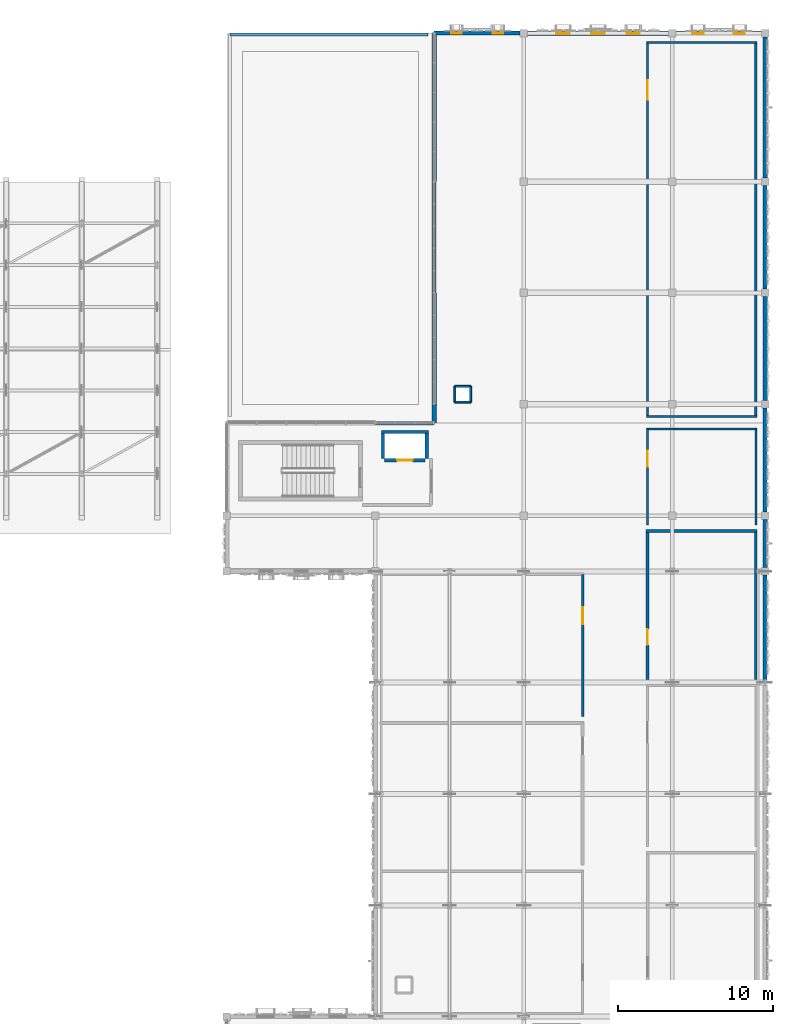
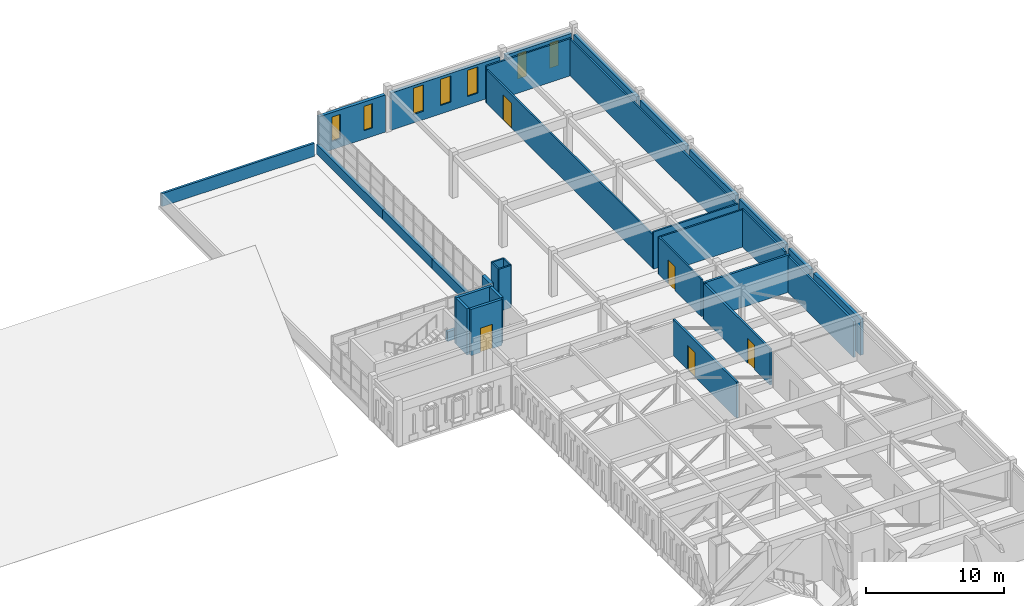
# One storey, part 53 of 79: 34 walls, 7 windows, 5 doors, 12 openings.
"""IFC4 building model written with IfcOpenShell, lengths in metres."""

from ifc_helpers import new_model, si_unit, direction, frame, frame_2d, origin, place, context, subcontext, project, spatial, rectangle, extrude, material, layer, layer_set, type_object, element, fill, save


model = new_model("IFC4")

# Units and contexts
model_context = context("Model", 3, precision=1e-05, world=origin(), true_north=direction((0.0, 1.0)))
body_context = subcontext(model_context, "Body", "Model", "MODEL_VIEW")
ifc_project = project(units=[si_unit("LENGTHUNIT", "METRE"), si_unit("AREAUNIT", "SQUARE_METRE"), si_unit("VOLUMEUNIT", "CUBIC_METRE"), si_unit("PLANEANGLEUNIT", "RADIAN"), si_unit("MASSUNIT", "GRAM", prefix="KILO")], contexts=[model_context])

# Site, building, storey
site_placement = place(None, origin())
site = spatial("IfcSite", under=ifc_project, at=site_placement, CompositionType="ELEMENT")
building_placement = place(site_placement, origin())
building = spatial("IfcBuilding", under=site, at=building_placement, Name="Nzembalo Square Collegiate School", CompositionType="ELEMENT")
storey_placement = place(building_placement, frame((0.0, 0.0, 9.52001953125)))
storey = spatial("IfcBuildingStorey", under=building, at=storey_placement, Name="L02", CompositionType="ELEMENT", Elevation=9.52001953125)

# Walls
ifc_material_1 = material(Name="Concrete C35/45", Category="concrete")
ifc_layer_1 = layer(ifc_material_1, 0.219970703125, Name="Concrete C35/45")
ifc_layer_set_1 = layer_set([ifc_layer_1], Name="Concrete C35/45")
wall_type_1 = type_object("IfcWallType", Name="SW08", PredefinedType="SHEAR", material=ifc_layer_set_1)
for number, where, z_axis, x_axis, name in (
    (1, (140.889892578125, 86.5, 0.0), (0.0, 0.0, 1.0), (0.0, 1.0, 0.0), "Lift LF3 shaft wall W L02"),
    (2, (143.7099609375, 86.5, 0.0), (0.0, 0.0, 1.0), (0.0, 1.0, 0.0), "Lift LF3 shaft wall E L02"),
):
    element("IfcWall", number, at=place(storey_placement, frame(where, z_axis=z_axis, x_axis=x_axis)), inside=storey, type_object=wall_type_1, Name=name, PredefinedType="SHEAR", context=body_context, shape_type="SweptSolid", body=[
        extrude(rectangle(XDim=1.60009765625, YDim=0.219970703125, at=frame_2d((0.800048828125, 0.0))), origin(), (0.0, 0.0, 1.0), 4.080078125),
    ])
wall_1_placement = place(storey_placement, frame((140.780029296875, 88.2099609375, 0.0), z_axis=(0.0, 0.0, 1.0), x_axis=(1.0, 0.0, 0.0)))
element("IfcWall", 3, at=wall_1_placement, inside=storey, type_object=wall_type_1, Name="Lift LF3 shaft wall N L02", PredefinedType="SHEAR", context=body_context, shape_type="SweptSolid", body=[
    extrude(rectangle(XDim=3.0400390625, YDim=0.219970703125, at=frame_2d((1.52001953125, 0.0))), origin(), (0.0, 0.0, 1.0), 4.080078125),
])

# Wall, opening, door
wall_2_placement = place(storey_placement, frame((141.0, 86.389892578125, 0.0), z_axis=(0.0, 0.0, 1.0), x_axis=(1.0, 0.0, 0.0)))
wall_2 = element("IfcWall", 4, at=wall_2_placement, inside=storey, type_object=wall_type_1, Name="Lift LF3 landing front wall L02", PredefinedType="SHEAR", context=body_context, shape_type="SweptSolid", body=[
    extrude(rectangle(XDim=2.60009765625, YDim=0.219970703125, at=frame_2d((1.300048828125, 0.0))), origin(), (0.0, 0.0, 1.0), 4.080078125),
])
opening_1_placement = place(wall_2_placement, frame((0.800048828125, 0.0, 0.0)))
opening_1 = element("IfcOpeningElement", 5, at=opening_1_placement, cuts=wall_2, Name="Opening LD-LF3-L02", PredefinedType="OPENING", context=body_context, shape_type="SweptSolid", body=[
    extrude(rectangle(XDim=1.0, YDim=2.14990234375, at=frame_2d((0.5, 1.074951171875))), frame((0.0, 0.1201171875, 0.0), z_axis=(0.0, -1.0, 0.0), x_axis=(1.0, 0.0, 0.0)), (0.0, 0.0, 1.0), 0.239990234375),
])
ifc_material_2 = material(Name="Stainless-steel sliding landing door", Category="steel")
door_type_1 = type_object("IfcDoorType", Name="LD02", OperationType="DOUBLE_DOOR_SLIDING", PredefinedType="DOOR", material=ifc_material_2)
door_1_placement = place(opening_1_placement, origin())
door_1 = element("IfcDoor", 6, at=door_1_placement, inside=storey, type_object=door_type_1, Name="Sliding lift landing door LD-LF3-L02", OperationType="DOUBLE_DOOR_SLIDING", OverallHeight=2.14990234375, OverallWidth=1.0, PredefinedType="DOOR", context=body_context, shape_type="SweptSolid", body=[
    extrude(rectangle(XDim=1.0, YDim=2.14990234375, at=frame_2d((0.5, 1.074951171875))), frame((0.0, 0.02490234375, 0.0), z_axis=(0.0, -1.0, 0.0), x_axis=(1.0, 0.0, 0.0)), (0.0, 0.0, 1.0), 0.050048828125),
])
fill(opening_1, door_1)

# Walls
ifc_material_3 = material(Name="Concrete C30/37", Category="concrete")
ifc_layer_2 = layer(ifc_material_3, 0.284912109375, Name="Concrete C30/37")
ifc_layer_set_2 = layer_set([ifc_layer_2], Name="Concrete C30/37")
wall_type_2 = type_object("IfcWallType", Name="W05", PredefinedType="SOLIDWALL", material=ifc_layer_set_2)
wall_3_placement = place(storey_placement, frame((144.199951171875, 88.800048828125, 0.0), z_axis=(0.0, 0.0, 1.0), x_axis=(0.0, 1.0, 0.0)))
element("IfcWall", 7, at=wall_3_placement, inside=storey, type_object=wall_type_2, Name="Exterior wall W05 L02", PredefinedType="SOLIDWALL", context=body_context, shape_type="SweptSolid", body=[
    extrude(rectangle(XDim=1.199951171875, YDim=0.284912109375, at=frame_2d((0.60009765625, 0.0))), origin(), (0.0, 0.0, 1.0), 3.77392578125),
])
wall_4_placement = place(storey_placement, frame((144.199951171875, 90.0, 0.0), z_axis=(0.0, 0.0, 1.0), x_axis=(0.0, 1.0, 0.0)))
element("IfcWall", 8, at=wall_4_placement, inside=storey, type_object=wall_type_2, Name="Spandrel wall W05 L02", PredefinedType="SOLIDWALL", context=body_context, shape_type="SweptSolid", body=[
    extrude(rectangle(XDim=7.199951171875, YDim=0.284912109375, at=frame_2d((3.60009765625, 0.0))), origin(), (0.0, 0.0, 1.0), 0.85009765625),
])
wall_5_placement = place(storey_placement, frame((144.199951171875, 104.39990234375, 0.0), z_axis=(0.0, 0.0, 1.0), x_axis=(0.0, 1.0, 0.0)))
element("IfcWall", 9, at=wall_5_placement, inside=storey, type_object=wall_type_2, Name="Spandrel wall W05 L02", PredefinedType="SOLIDWALL", context=body_context, shape_type="SweptSolid", body=[
    extrude(rectangle(XDim=9.60009765625, YDim=0.284912109375, at=frame_2d((4.800048828125, 0.0))), origin(), (0.0, 0.0, 1.0), 0.85009765625),
])

# Wall, openings, windows
wall_6_placement = place(storey_placement, frame((150.241943359375, 114.0, 0.0), z_axis=(0.0, 0.0, 1.0), x_axis=(1.0, 0.0, 0.0)))
wall_6 = element("IfcWall", 10, at=wall_6_placement, inside=storey, type_object=wall_type_2, Name="Exterior wall W05 L02", PredefinedType="SOLIDWALL", context=body_context, shape_type="SweptSolid", body=[
    extrude(rectangle(XDim=9.115966796875, YDim=0.284912109375, at=frame_2d((4.55810546875, 0.0))), origin(), (0.0, 0.0, 1.0), 3.299072265625),
])
opening_2_placement = place(wall_6_placement, frame((1.85400390625, 0.0, 0.75)))
opening_2 = element("IfcOpeningElement", 11, at=opening_2_placement, cuts=wall_6, Name="Opening WN-L02-430", PredefinedType="OPENING", context=body_context, shape_type="SweptSolid", body=[
    extrude(rectangle(XDim=0.860107421875, YDim=2.320068359375, at=frame_2d((0.43017578125, 1.16015625))), frame((0.0, 0.15234375, 0.0), z_axis=(0.0, -1.0, 0.0), x_axis=(1.0, 0.0, 0.0)), (0.0, 0.0, 1.0), 0.304931640625),
])
opening_3_placement = place(wall_6_placement, frame((4.1279296875, 0.0, 0.75)))
opening_3 = element("IfcOpeningElement", 12, at=opening_3_placement, cuts=wall_6, Name="Opening WN-L02-431", PredefinedType="OPENING", context=body_context, shape_type="SweptSolid", body=[
    extrude(rectangle(XDim=0.860107421875, YDim=2.320068359375, at=frame_2d((0.43017578125, 1.16015625))), frame((0.0, 0.15234375, 0.0), z_axis=(0.0, -1.0, 0.0), x_axis=(1.0, 0.0, 0.0)), (0.0, 0.0, 1.0), 0.304931640625),
])
opening_4_placement = place(wall_6_placement, frame((6.402099609375, 0.0, 0.75)))
opening_4 = element("IfcOpeningElement", 13, at=opening_4_placement, cuts=wall_6, Name="Opening WN-L02-432", PredefinedType="OPENING", context=body_context, shape_type="SweptSolid", body=[
    extrude(rectangle(XDim=0.860107421875, YDim=2.320068359375, at=frame_2d((0.43017578125, 1.16015625))), frame((0.0, 0.15234375, 0.0), z_axis=(0.0, -1.0, 0.0), x_axis=(1.0, 0.0, 0.0)), (0.0, 0.0, 1.0), 0.304931640625),
])
ifc_material_4 = material(Name="Powder-coated aluminium and low-E double glazing", Category="aluminium")
window_type_1 = type_object("IfcWindowType", Name="WN61", PartitioningType="SINGLE_PANEL", PredefinedType="WINDOW", material=ifc_material_4)
window_1_placement = place(opening_2_placement, origin())
window_1 = element("IfcWindow", 14, at=window_1_placement, inside=storey, type_object=window_type_1, Name="Lancet window WN-L02-430", OverallHeight=2.320068359375, OverallWidth=0.860107421875, PartitioningType="SINGLE_PANEL", PredefinedType="WINDOW", context=body_context, shape_type="SweptSolid", body=[
    extrude(rectangle(XDim=0.860107421875, YDim=2.320068359375, at=frame_2d((0.43017578125, 1.16015625))), frame((0.0, 0.030029296875, 0.0), z_axis=(0.0, -1.0, 0.0), x_axis=(1.0, 0.0, 0.0)), (0.0, 0.0, 1.0), 0.06005859375),
])
fill(opening_2, window_1)
window_2_placement = place(opening_3_placement, origin())
window_2 = element("IfcWindow", 15, at=window_2_placement, inside=storey, type_object=window_type_1, Name="Lancet window WN-L02-431", OverallHeight=2.320068359375, OverallWidth=0.860107421875, PartitioningType="SINGLE_PANEL", PredefinedType="WINDOW", context=body_context, shape_type="SweptSolid", body=[
    extrude(rectangle(XDim=0.860107421875, YDim=2.320068359375, at=frame_2d((0.43017578125, 1.16015625))), frame((0.0, 0.030029296875, 0.0), z_axis=(0.0, -1.0, 0.0), x_axis=(1.0, 0.0, 0.0)), (0.0, 0.0, 1.0), 0.06005859375),
])
fill(opening_3, window_2)
window_3_placement = place(opening_4_placement, origin())
window_3 = element("IfcWindow", 16, at=window_3_placement, inside=storey, type_object=window_type_1, Name="Lancet window WN-L02-432", OverallHeight=2.320068359375, OverallWidth=0.860107421875, PartitioningType="SINGLE_PANEL", PredefinedType="WINDOW", context=body_context, shape_type="SweptSolid", body=[
    extrude(rectangle(XDim=0.860107421875, YDim=2.320068359375, at=frame_2d((0.43017578125, 1.16015625))), frame((0.0, 0.030029296875, 0.0), z_axis=(0.0, -1.0, 0.0), x_axis=(1.0, 0.0, 0.0)), (0.0, 0.0, 1.0), 0.06005859375),
])
fill(opening_4, window_3)

# Walls
wall_7_placement = place(storey_placement, frame((165.60009765625, 79.44189453125, 0.0), z_axis=(0.0, 0.0, 1.0), x_axis=(0.0, 1.0, 0.0)))
element("IfcWall", 17, at=wall_7_placement, inside=storey, type_object=wall_type_2, Name="Exterior wall W05 L02", PredefinedType="SOLIDWALL", context=body_context, shape_type="SweptSolid", body=[
    extrude(rectangle(XDim=3.1162109375, YDim=0.284912109375, at=frame_2d((1.55810546875, 0.0))), origin(), (0.0, 0.0, 1.0), 3.194091796875),
])
wall_8_placement = place(storey_placement, frame((165.60009765625, 90.241943359375, 0.0), z_axis=(0.0, 0.0, 1.0), x_axis=(0.0, 1.0, 0.0)))
element("IfcWall", 18, at=wall_8_placement, inside=storey, type_object=wall_type_2, Name="Exterior wall W05 L02", PredefinedType="SOLIDWALL", context=body_context, shape_type="SweptSolid", body=[
    extrude(rectangle(XDim=6.716064453125, YDim=0.284912109375, at=frame_2d((3.35791015625, 0.0))), origin(), (0.0, 0.0, 1.0), 3.218994140625),
])
wall_9_placement = place(storey_placement, frame((165.60009765625, 104.64208984375, 0.0), z_axis=(0.0, 0.0, 1.0), x_axis=(0.0, 1.0, 0.0)))
element("IfcWall", 19, at=wall_9_placement, inside=storey, type_object=wall_type_2, Name="Exterior wall W05 L02", PredefinedType="SOLIDWALL", context=body_context, shape_type="SweptSolid", body=[
    extrude(rectangle(XDim=9.115966796875, YDim=0.284912109375, at=frame_2d((4.55810546875, 0.0))), origin(), (0.0, 0.0, 1.0), 3.218994140625),
])
ifc_material_5 = material(Name="Concrete C30/37", Category="concrete")
ifc_layer_3 = layer(ifc_material_5, 0.264892578125, Name="Concrete C30/37")
ifc_layer_set_3 = layer_set([ifc_layer_3], Name="Concrete C30/37")
wall_type_3 = type_object("IfcWallType", Name="W06", PredefinedType="SOLIDWALL", material=ifc_layer_set_3)
wall_10_placement = place(storey_placement, frame((140.39990234375, 88.800048828125, 0.0), z_axis=(0.0, 0.0, 1.0), x_axis=(1.0, 0.0, 0.0)))
element("IfcWall", 20, at=wall_10_placement, inside=storey, type_object=wall_type_3, Name="Spandrel wall W06 L02", PredefinedType="SOLIDWALL", context=body_context, shape_type="SweptSolid", body=[
    extrude(rectangle(XDim=3.800048828125, YDim=0.264892578125, at=frame_2d((1.89990234375, 0.0))), origin(), (0.0, 0.0, 1.0), 0.85009765625),
])
wall_11_placement = place(storey_placement, frame((144.199951171875, 97.199951171875, 0.0), z_axis=(0.0, 0.0, 1.0), x_axis=(0.0, 1.0, 0.0)))
element("IfcWall", 21, at=wall_11_placement, inside=storey, type_object=wall_type_3, Name="Spandrel wall W06 L02", PredefinedType="SOLIDWALL", context=body_context, shape_type="SweptSolid", body=[
    extrude(rectangle(XDim=7.199951171875, YDim=0.264892578125, at=frame_2d((3.60009765625, 0.0))), origin(), (0.0, 0.0, 1.0), 0.85009765625),
])

# Wall, openings, windows
wall_12_placement = place(storey_placement, frame((144.199951171875, 114.0, 0.0), z_axis=(0.0, 0.0, 1.0), x_axis=(1.0, 0.0, 0.0)))
wall_12 = element("IfcWall", 22, at=wall_12_placement, inside=storey, type_object=wall_type_3, Name="Exterior wall W06 L02", PredefinedType="SOLIDWALL", context=body_context, shape_type="SweptSolid", body=[
    extrude(rectangle(XDim=5.55810546875, YDim=0.264892578125, at=frame_2d((2.779052734375, 0.0))), origin(), (0.0, 0.0, 1.0), 3.299072265625),
])
opening_5_placement = place(wall_12_placement, frame((1.099609375, 0.0, 0.75)))
opening_5 = element("IfcOpeningElement", 23, at=opening_5_placement, cuts=wall_12, Name="Opening WN-L02-428", PredefinedType="OPENING", context=body_context, shape_type="SweptSolid", body=[
    extrude(rectangle(XDim=0.679931640625, YDim=2.159912109375, at=frame_2d((0.33984375, 1.080078125))), frame((0.0, 0.142578125, 0.0), z_axis=(0.0, -1.0, 0.0), x_axis=(1.0, 0.0, 0.0)), (0.0, 0.0, 1.0), 0.284912109375),
])
opening_6_placement = place(wall_12_placement, frame((3.778564453125, 0.0, 0.75)))
opening_6 = element("IfcOpeningElement", 24, at=opening_6_placement, cuts=wall_12, Name="Opening WN-L02-429", PredefinedType="OPENING", context=body_context, shape_type="SweptSolid", body=[
    extrude(rectangle(XDim=0.679931640625, YDim=2.159912109375, at=frame_2d((0.33984375, 1.080078125))), frame((0.0, 0.142578125, 0.0), z_axis=(0.0, -1.0, 0.0), x_axis=(1.0, 0.0, 0.0)), (0.0, 0.0, 1.0), 0.284912109375),
])
ifc_material_6 = material(Name="Powder-coated aluminium and low-E double glazing", Category="aluminium")
window_type_2 = type_object("IfcWindowType", Name="WN59", PartitioningType="SINGLE_PANEL", PredefinedType="WINDOW", material=ifc_material_6)
window_4_placement = place(opening_5_placement, origin())
window_4 = element("IfcWindow", 25, at=window_4_placement, inside=storey, type_object=window_type_2, Name="Lancet window WN-L02-428", OverallHeight=2.159912109375, OverallWidth=0.679931640625, PartitioningType="SINGLE_PANEL", PredefinedType="WINDOW", context=body_context, shape_type="SweptSolid", body=[
    extrude(rectangle(XDim=0.679931640625, YDim=2.159912109375, at=frame_2d((0.33984375, 1.080078125))), frame((0.0, 0.030029296875, 0.0), z_axis=(0.0, -1.0, 0.0), x_axis=(1.0, 0.0, 0.0)), (0.0, 0.0, 1.0), 0.06005859375),
])
fill(opening_5, window_4)
window_5_placement = place(opening_6_placement, origin())
window_5 = element("IfcWindow", 26, at=window_5_placement, inside=storey, type_object=window_type_2, Name="Lancet window WN-L02-429", OverallHeight=2.159912109375, OverallWidth=0.679931640625, PartitioningType="SINGLE_PANEL", PredefinedType="WINDOW", context=body_context, shape_type="SweptSolid", body=[
    extrude(rectangle(XDim=0.679931640625, YDim=2.159912109375, at=frame_2d((0.33984375, 1.080078125))), frame((0.0, 0.030029296875, 0.0), z_axis=(0.0, -1.0, 0.0), x_axis=(1.0, 0.0, 0.0)), (0.0, 0.0, 1.0), 0.06005859375),
])
fill(opening_6, window_5)

wall_13_placement = place(storey_placement, frame((159.842041015625, 114.0, 0.0), z_axis=(0.0, 0.0, 1.0), x_axis=(1.0, 0.0, 0.0)))
wall_13 = element("IfcWall", 27, at=wall_13_placement, inside=storey, type_object=wall_type_3, Name="Exterior wall W06 L02", PredefinedType="SOLIDWALL", context=body_context, shape_type="SweptSolid", body=[
    extrude(rectangle(XDim=5.515869140625, YDim=0.264892578125, at=frame_2d((2.7578125, 0.0))), origin(), (0.0, 0.0, 1.0), 3.299072265625),
])
opening_7_placement = place(wall_13_placement, frame((1.05908203125, 0.0, 0.75)))
opening_7 = element("IfcOpeningElement", 28, at=opening_7_placement, cuts=wall_13, Name="Opening WN-L02-436", PredefinedType="OPENING", context=body_context, shape_type="SweptSolid", body=[
    extrude(rectangle(XDim=0.719970703125, YDim=2.239990234375, at=frame_2d((0.35986328125, 1.1201171875))), frame((0.0, 0.142578125, 0.0), z_axis=(0.0, -1.0, 0.0), x_axis=(1.0, 0.0, 0.0)), (0.0, 0.0, 1.0), 0.284912109375),
])
opening_8_placement = place(wall_13_placement, frame((3.737060546875, 0.0, 0.75)))
opening_8 = element("IfcOpeningElement", 29, at=opening_8_placement, cuts=wall_13, Name="Opening WN-L02-437", PredefinedType="OPENING", context=body_context, shape_type="SweptSolid", body=[
    extrude(rectangle(XDim=0.719970703125, YDim=2.239990234375, at=frame_2d((0.35986328125, 1.1201171875))), frame((0.0, 0.142578125, 0.0), z_axis=(0.0, -1.0, 0.0), x_axis=(1.0, 0.0, 0.0)), (0.0, 0.0, 1.0), 0.284912109375),
])
ifc_material_7 = material(Name="Powder-coated aluminium and low-E double glazing", Category="aluminium")
window_type_3 = type_object("IfcWindowType", Name="WN67", PartitioningType="SINGLE_PANEL", PredefinedType="WINDOW", material=ifc_material_7)
window_6_placement = place(opening_7_placement, origin())
window_6 = element("IfcWindow", 30, at=window_6_placement, inside=storey, type_object=window_type_3, Name="Lancet window WN-L02-436", OverallHeight=2.239990234375, OverallWidth=0.719970703125, PartitioningType="SINGLE_PANEL", PredefinedType="WINDOW", context=body_context, shape_type="SweptSolid", body=[
    extrude(rectangle(XDim=0.719970703125, YDim=2.239990234375, at=frame_2d((0.35986328125, 1.1201171875))), frame((0.0, 0.030029296875, 0.0), z_axis=(0.0, -1.0, 0.0), x_axis=(1.0, 0.0, 0.0)), (0.0, 0.0, 1.0), 0.06005859375),
])
fill(opening_7, window_6)
window_7_placement = place(opening_8_placement, origin())
window_7 = element("IfcWindow", 31, at=window_7_placement, inside=storey, type_object=window_type_3, Name="Lancet window WN-L02-437", OverallHeight=2.239990234375, OverallWidth=0.719970703125, PartitioningType="SINGLE_PANEL", PredefinedType="WINDOW", context=body_context, shape_type="SweptSolid", body=[
    extrude(rectangle(XDim=0.719970703125, YDim=2.239990234375, at=frame_2d((0.35986328125, 1.1201171875))), frame((0.0, 0.030029296875, 0.0), z_axis=(0.0, -1.0, 0.0), x_axis=(1.0, 0.0, 0.0)), (0.0, 0.0, 1.0), 0.06005859375),
])
fill(opening_8, window_7)

# Walls
wall_14_placement = place(storey_placement, frame((165.60009765625, 72.177001953125, 0.0), z_axis=(0.0, 0.0, 1.0), x_axis=(0.0, 1.0, 0.0)))
element("IfcWall", 32, at=wall_14_placement, inside=storey, type_object=wall_type_3, Name="Exterior wall W06 L02", PredefinedType="SOLIDWALL", context=body_context, shape_type="SweptSolid", body=[
    extrude(rectangle(XDim=6.781005859375, YDim=0.264892578125, at=frame_2d((3.390625, 0.0))), origin(), (0.0, 0.0, 1.0), 3.194091796875),
])
for number, where, z_axis, x_axis, name in (
    (33, (165.60009765625, 83.0419921875, 0.0), (0.0, 0.0, 1.0), (0.0, 1.0, 0.0), "Exterior wall W06 L02"),
    (34, (165.60009765625, 97.44189453125, 0.0), (0.0, 0.0, 1.0), (0.0, 1.0, 0.0), "Exterior wall W06 L02"),
):
    element("IfcWall", number, at=place(storey_placement, frame(where, z_axis=z_axis, x_axis=x_axis)), inside=storey, type_object=wall_type_3, Name=name, PredefinedType="SOLIDWALL", context=body_context, shape_type="SweptSolid", body=[
        extrude(rectangle(XDim=6.716064453125, YDim=0.264892578125, at=frame_2d((3.35791015625, 0.0))), origin(), (0.0, 0.0, 1.0), 3.218994140625),
    ])

# Wall, opening, door
ifc_material_8 = material(Name="Acoustic gypsum and steel stud", Category="steel")
ifc_layer_4 = layer(ifc_material_8, 0.175048828125, Name="Acoustic gypsum and steel stud")
ifc_layer_set_4 = layer_set([ifc_layer_4], Name="Acoustic gypsum and steel stud")
wall_type_4 = type_object("IfcWallType", Name="W14", PredefinedType="PARTITIONING", material=ifc_layer_set_4)
wall_15_placement = place(storey_placement, frame((153.800048828125, 69.800048828125, 0.0), z_axis=(0.0, 0.0, 1.0), x_axis=(0.0, 1.0, 0.0)))
wall_15 = element("IfcWall", 35, at=wall_15_placement, inside=storey, type_object=wall_type_4, Name="Interior partition W14 L02-035-E", PredefinedType="PARTITIONING", context=body_context, shape_type="SweptSolid", body=[
    extrude(rectangle(XDim=9.199951171875, YDim=0.175048828125, at=frame_2d((4.60009765625, 0.0))), origin(), (0.0, 0.0, 1.0), 3.194091796875),
])
opening_9_placement = place(wall_15_placement, frame((5.989990234375, 0.0, 0.0)))
opening_9 = element("IfcOpeningElement", 36, at=opening_9_placement, cuts=wall_15, Name="Opening D-L02-063", PredefinedType="OPENING", context=body_context, shape_type="SweptSolid", body=[
    extrude(rectangle(XDim=1.080078125, YDim=2.159912109375, at=frame_2d((0.5400390625, 1.080078125))), frame((0.0, 0.09765625, 0.0), z_axis=(0.0, -1.0, 0.0), x_axis=(1.0, 0.0, 0.0)), (0.0, 0.0, 1.0), 0.195068359375),
])
ifc_material_9 = material(Name="Acoustic oak classroom door")
door_type_2 = type_object("IfcDoorType", Name="D13", OperationType="NOTDEFINED", PredefinedType="DOOR", material=ifc_material_9)
door_2_placement = place(opening_9_placement, origin())
door_2 = element("IfcDoor", 37, at=door_2_placement, inside=storey, type_object=door_type_2, Name="Interior door D-L02-063 (Lower-Secondary ICT Classroom 2L)", OperationType="SINGLE_SWING_LEFT", OverallHeight=2.159912109375, OverallWidth=1.080078125, PredefinedType="DOOR", context=body_context, shape_type="SweptSolid", body=[
    extrude(rectangle(XDim=1.080078125, YDim=2.159912109375, at=frame_2d((0.5400390625, 1.080078125))), frame((0.0, 0.02490234375, 0.0), z_axis=(0.0, -1.0, 0.0), x_axis=(1.0, 0.0, 0.0)), (0.0, 0.0, 1.0), 0.050048828125),
])
fill(opening_9, door_2)

# Wall
wall_16_placement = place(storey_placement, frame((157.91259765625, 81.800048828125, 0.0), z_axis=(0.0, 0.0, 1.0), x_axis=(1.0, 0.0, 0.0)))
element("IfcWall", 38, at=wall_16_placement, inside=storey, type_object=wall_type_4, Name="Interior partition W14 L02-038-N", PredefinedType="PARTITIONING", context=body_context, shape_type="SweptSolid", body=[
    extrude(rectangle(XDim=7.1748046875, YDim=0.175048828125, at=frame_2d((3.58740234375, 0.0))), origin(), (0.0, 0.0, 1.0), 3.299072265625),
])

# Wall, opening, door
wall_17_placement = place(storey_placement, frame((158.0, 72.199951171875, 0.0), z_axis=(0.0, 0.0, 1.0), x_axis=(0.0, 1.0, 0.0)))
wall_17 = element("IfcWall", 39, at=wall_17_placement, inside=storey, type_object=wall_type_4, Name="Interior partition W14 L02-038-W", PredefinedType="PARTITIONING", context=body_context, shape_type="SweptSolid", body=[
    extrude(rectangle(XDim=9.60009765625, YDim=0.175048828125, at=frame_2d((4.800048828125, 0.0))), origin(), (0.0, 0.0, 1.0), 3.194091796875),
])
opening_10_placement = place(wall_17_placement, frame((2.2451171875, 0.0, 0.0)))
opening_10 = element("IfcOpeningElement", 40, at=opening_10_placement, cuts=wall_17, Name="Opening D-L02-066", PredefinedType="OPENING", context=body_context, shape_type="SweptSolid", body=[
    extrude(rectangle(XDim=1.02001953125, YDim=2.179931640625, at=frame_2d((0.510009765625, 1.08984375))), frame((0.0, 0.09765625, 0.0), z_axis=(0.0, -1.0, 0.0), x_axis=(1.0, 0.0, 0.0)), (0.0, 0.0, 1.0), 0.195068359375),
])
ifc_material_10 = material(Name="Faculty workroom door")
door_type_3 = type_object("IfcDoorType", Name="D16", OperationType="NOTDEFINED", PredefinedType="DOOR", material=ifc_material_10)
door_3_placement = place(opening_10_placement, origin())
door_3 = element("IfcDoor", 41, at=door_3_placement, inside=storey, type_object=door_type_3, Name="Interior door D-L02-066 (Year-Group Staff Workroom L02)", OperationType="SINGLE_SWING_LEFT", OverallHeight=2.179931640625, OverallWidth=1.02001953125, PredefinedType="DOOR", context=body_context, shape_type="SweptSolid", body=[
    extrude(rectangle(XDim=1.02001953125, YDim=2.179931640625, at=frame_2d((0.510009765625, 1.08984375))), frame((0.0, 0.02490234375, 0.0), z_axis=(0.0, -1.0, 0.0), x_axis=(1.0, 0.0, 0.0)), (0.0, 0.0, 1.0), 0.050048828125),
])
fill(opening_10, door_3)

# Walls
wall_18_placement = place(storey_placement, frame((165.0, 72.199951171875, 0.0), z_axis=(0.0, 0.0, 1.0), x_axis=(0.0, 1.0, 0.0)))
element("IfcWall", 42, at=wall_18_placement, inside=storey, type_object=wall_type_4, Name="Interior partition W14 L02-038-E", PredefinedType="PARTITIONING", context=body_context, shape_type="SweptSolid", body=[
    extrude(rectangle(XDim=9.60009765625, YDim=0.175048828125, at=frame_2d((4.800048828125, 0.0))), origin(), (0.0, 0.0, 1.0), 3.194091796875),
])
ifc_material_11 = material(Name="Gypsum plasterboard stud")
ifc_layer_5 = layer(ifc_material_11, 0.139892578125, Name="Gypsum plasterboard stud")
ifc_layer_set_5 = layer_set([ifc_layer_5], Name="Gypsum plasterboard stud")
wall_type_5 = type_object("IfcWallType", Name="W18", PredefinedType="PARTITIONING", material=ifc_layer_set_5)
for number, where, z_axis, x_axis, name in (
    (43, (157.929931640625, 89.199951171875, 0.0), (0.0, 0.0, 1.0), (1.0, 0.0, 0.0), "Interior partition W18 L02-047-S"),
    (44, (157.929931640625, 113.39990234375, 0.0), (0.0, 0.0, 1.0), (1.0, 0.0, 0.0), "Interior partition W18 L02-047-N"),
):
    element("IfcWall", number, at=place(storey_placement, frame(where, z_axis=z_axis, x_axis=x_axis)), inside=storey, type_object=wall_type_5, Name=name, PredefinedType="PARTITIONING", context=body_context, shape_type="SweptSolid", body=[
        extrude(rectangle(XDim=7.14013671875, YDim=0.139892578125, at=frame_2d((3.570068359375, 0.0))), origin(), (0.0, 0.0, 1.0), 3.299072265625),
    ])

# Wall, opening, door
wall_19_placement = place(storey_placement, frame((158.0, 89.199951171875, 0.0), z_axis=(0.0, 0.0, 1.0), x_axis=(0.0, 1.0, 0.0)))
wall_19 = element("IfcWall", 45, at=wall_19_placement, inside=storey, type_object=wall_type_5, Name="Interior partition W18 L02-047-W", PredefinedType="PARTITIONING", context=body_context, shape_type="SweptSolid", body=[
    extrude(rectangle(XDim=24.199951171875, YDim=0.139892578125, at=frame_2d((12.10009765625, 0.0))), origin(), (0.0, 0.0, 1.0), 2.97900390625),
])
opening_11_placement = place(wall_19_placement, frame((20.50390625, 0.0, 0.0)))
opening_11 = element("IfcOpeningElement", 46, at=opening_11_placement, cuts=wall_19, Name="Opening D-L02-074", PredefinedType="OPENING", context=body_context, shape_type="SweptSolid", body=[
    extrude(rectangle(XDim=1.239990234375, YDim=2.199951171875, at=frame_2d((0.6201171875, 1.10009765625))), frame((0.0, 0.080078125, 0.0), z_axis=(0.0, -1.0, 0.0), x_axis=(1.0, 0.0, 0.0)), (0.0, 0.0, 1.0), 0.159912109375),
])
ifc_material_12 = material(Name="Glazed seminar room door")
door_type_4 = type_object("IfcDoorType", Name="D14", OperationType="NOTDEFINED", PredefinedType="DOOR", material=ifc_material_12)
door_4_placement = place(opening_11_placement, origin())
door_4 = element("IfcDoor", 47, at=door_4_placement, inside=storey, type_object=door_type_4, Name="Interior door D-L02-074 (North Science Seminar Suite L02)", OperationType="SINGLE_SWING_LEFT", OverallHeight=2.199951171875, OverallWidth=1.239990234375, PredefinedType="DOOR", context=body_context, shape_type="SweptSolid", body=[
    extrude(rectangle(XDim=1.239990234375, YDim=2.199951171875, at=frame_2d((0.6201171875, 1.10009765625))), frame((0.0, 0.02490234375, 0.0), z_axis=(0.0, -1.0, 0.0), x_axis=(1.0, 0.0, 0.0)), (0.0, 0.0, 1.0), 0.050048828125),
])
fill(opening_11, door_4)

# Walls
wall_20_placement = place(storey_placement, frame((165.0, 89.199951171875, 0.0), z_axis=(0.0, 0.0, 1.0), x_axis=(0.0, 1.0, 0.0)))
element("IfcWall", 48, at=wall_20_placement, inside=storey, type_object=wall_type_5, Name="Interior partition W18 L02-047-E", PredefinedType="PARTITIONING", context=body_context, shape_type="SweptSolid", body=[
    extrude(rectangle(XDim=24.199951171875, YDim=0.139892578125, at=frame_2d((12.10009765625, 0.0))), origin(), (0.0, 0.0, 1.0), 3.218994140625),
])
ifc_material_13 = material(Name="Cement-board wet-room partition")
ifc_layer_6 = layer(ifc_material_13, 0.135009765625, Name="Cement-board wet-room partition")
ifc_layer_set_6 = layer_set([ifc_layer_6], Name="Cement-board wet-room partition")
wall_type_6 = type_object("IfcWallType", Name="W19", PredefinedType="PARTITIONING", material=ifc_layer_set_6)
wall_21_placement = place(storey_placement, frame((157.9326171875, 88.39990234375, 0.0), z_axis=(0.0, 0.0, 1.0), x_axis=(1.0, 0.0, 0.0)))
element("IfcWall", 49, at=wall_21_placement, inside=storey, type_object=wall_type_6, Name="Interior partition W19 L02-039-N", PredefinedType="PARTITIONING", context=body_context, shape_type="SweptSolid", body=[
    extrude(rectangle(XDim=7.134765625, YDim=0.135009765625, at=frame_2d((3.5673828125, 0.0))), origin(), (0.0, 0.0, 1.0), 3.299072265625),
])

# Wall, opening, door
wall_22_placement = place(storey_placement, frame((158.0, 82.199951171875, 0.0), z_axis=(0.0, 0.0, 1.0), x_axis=(0.0, 1.0, 0.0)))
wall_22 = element("IfcWall", 50, at=wall_22_placement, inside=storey, type_object=wall_type_6, Name="Interior partition W19 L02-039-W", PredefinedType="PARTITIONING", context=body_context, shape_type="SweptSolid", body=[
    extrude(rectangle(XDim=6.199951171875, YDim=0.135009765625, at=frame_2d((3.10009765625, 0.0))), origin(), (0.0, 0.0, 1.0), 3.299072265625),
])
opening_12_placement = place(wall_22_placement, frame((3.77001953125, 0.0, 0.0)))
opening_12 = element("IfcOpeningElement", 51, at=opening_12_placement, cuts=wall_22, Name="Opening D-L02-067", PredefinedType="OPENING", context=body_context, shape_type="SweptSolid", body=[
    extrude(rectangle(XDim=1.0400390625, YDim=2.1201171875, at=frame_2d((0.52001953125, 1.06005859375))), frame((0.0, 0.07763671875, 0.0), z_axis=(0.0, -1.0, 0.0), x_axis=(1.0, 0.0, 0.0)), (0.0, 0.0, 1.0), 0.155029296875),
])
ifc_material_14 = material(Name="Accessible outward-swing WC door")
door_type_5 = type_object("IfcDoorType", Name="D09", OperationType="NOTDEFINED", PredefinedType="DOOR", material=ifc_material_14)
door_5_placement = place(opening_12_placement, origin())
door_5 = element("IfcDoor", 52, at=door_5_placement, inside=storey, type_object=door_type_5, Name="Interior door D-L02-067 (East L02 Boys', Girls' and Wheelchair Accessible WCs)", OperationType="SINGLE_SWING_RIGHT", OverallHeight=2.1201171875, OverallWidth=1.0400390625, PredefinedType="DOOR", context=body_context, shape_type="SweptSolid", body=[
    extrude(rectangle(XDim=1.0400390625, YDim=2.1201171875, at=frame_2d((0.52001953125, 1.06005859375))), frame((0.0, 0.02490234375, 0.0), z_axis=(0.0, -1.0, 0.0), x_axis=(1.0, 0.0, 0.0)), (0.0, 0.0, 1.0), 0.050048828125),
])
fill(opening_12, door_5)

# Walls
wall_23_placement = place(storey_placement, frame((165.0, 82.199951171875, 0.0), z_axis=(0.0, 0.0, 1.0), x_axis=(0.0, 1.0, 0.0)))
element("IfcWall", 53, at=wall_23_placement, inside=storey, type_object=wall_type_6, Name="Interior partition W19 L02-039-E", PredefinedType="PARTITIONING", context=body_context, shape_type="SweptSolid", body=[
    extrude(rectangle(XDim=6.199951171875, YDim=0.135009765625, at=frame_2d((3.10009765625, 0.0))), origin(), (0.0, 0.0, 1.0), 3.299072265625),
])
ifc_material_15 = material(Name="Fire-rated shaftwall stud")
ifc_layer_7 = layer(ifc_material_15, 0.1201171875, Name="Fire-rated shaftwall stud")
ifc_layer_set_7 = layer_set([ifc_layer_7], Name="Fire-rated shaftwall stud")
wall_type_7 = type_object("IfcWallType", Name="W23", PredefinedType="PARTITIONING", material=ifc_layer_set_7)
for number, where, z_axis, x_axis, name in (
    (54, (145.5400390625, 90.139892578125, 0.0), (0.0, 0.0, 1.0), (1.0, 0.0, 0.0), "Service riser shaftwall W23-017-1"),
    (55, (146.56005859375, 90.139892578125, 0.0), (0.0, 0.0, 1.0), (0.0, 1.0, 0.0), "Service riser shaftwall W23-017-2"),
    (56, (146.56005859375, 91.159912109375, 0.0), (0.0, 0.0, 1.0), (-1.0, 0.0, 0.0), "Service riser shaftwall W23-017-3"),
    (57, (145.5400390625, 91.159912109375, 0.0), (0.0, 0.0, 1.0), (0.0, -1.0, 0.0), "Service riser shaftwall W23-017-4"),
):
    element("IfcWall", number, at=place(storey_placement, frame(where, z_axis=z_axis, x_axis=x_axis)), inside=storey, type_object=wall_type_7, Name=name, PredefinedType="PARTITIONING", context=body_context, shape_type="SweptSolid", body=[
        extrude(rectangle(XDim=1.02001953125, YDim=0.1201171875, at=frame_2d((0.510009765625, 0.0))), origin(), (0.0, 0.0, 1.0), 3.75390625),
    ])
ifc_material_16 = material(Name="Concrete C30/37", Category="concrete")
ifc_layer_8 = layer(ifc_material_16, 0.18994140625, Name="Concrete C30/37")
ifc_layer_set_8 = layer_set([ifc_layer_8], Name="Concrete C30/37")
wall_type_8 = type_object("IfcWallType", Name="WP02", PredefinedType="PARAPET", material=ifc_layer_set_8)
wall_24_placement = place(storey_placement, frame((143.800048828125, 113.89990234375, 0.0), z_axis=(0.0, 0.0, 1.0), x_axis=(-1.0, 0.0, 0.0)))
element("IfcWall", 58, at=wall_24_placement, inside=storey, type_object=wall_type_8, Name="Roof parapet WP02-13", PredefinedType="PARAPET", context=body_context, shape_type="SweptSolid", body=[
    extrude(rectangle(XDim=12.800048828125, YDim=0.18994140625, at=frame_2d((6.39990234375, 0.0))), origin(), (0.0, 0.0, 1.0), 1.14990234375),
])

save(model, "model.ifc")
